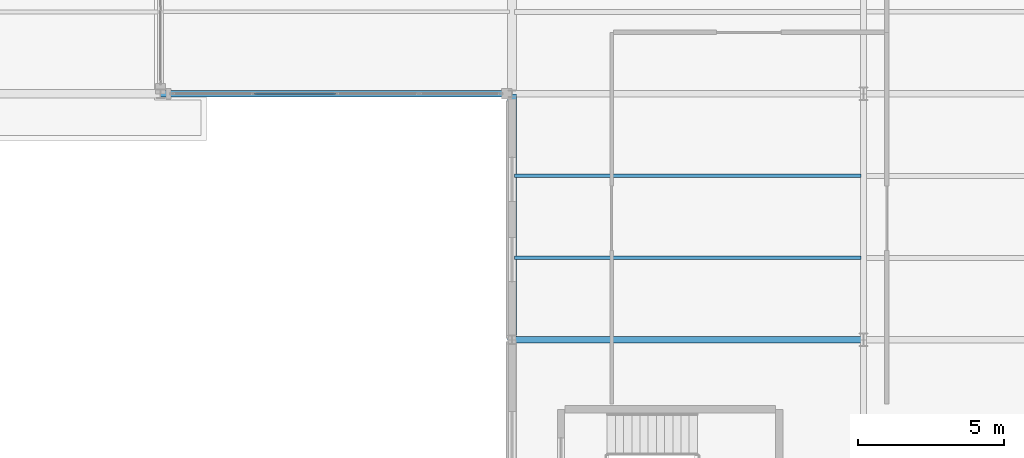
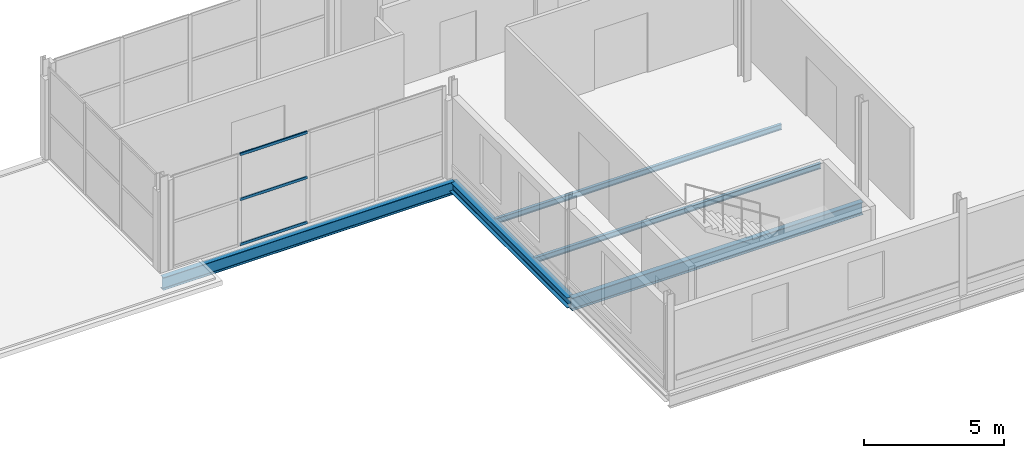
# One storey, part 64 of 93: 5 beams, 3 members, 1 element without a shape of its own.
"""IFC4 building model written with IfcOpenShell, lengths in metres."""

from ifc_helpers import new_model, si_unit, direction, frame, origin, origin_2d, place, context, subcontext, project, spatial, hollow_rectangle, i_section, extrude, material, layer, layer_set, material_profile, profile_set, type_object, element, aggregate, save


model = new_model("IFC4")

# Units and contexts
model_context = context("Model", 3, precision=1e-05, world=origin(), true_north=direction((0.0, 1.0)))
body_context = subcontext(model_context, "Body", "Model", "MODEL_VIEW")
ifc_project = project(units=[si_unit("LENGTHUNIT", "METRE"), si_unit("AREAUNIT", "SQUARE_METRE"), si_unit("VOLUMEUNIT", "CUBIC_METRE"), si_unit("PLANEANGLEUNIT", "RADIAN"), si_unit("MASSUNIT", "GRAM", prefix="KILO")], contexts=[model_context])

# Site, building, storey
site_placement = place(None, origin())
site = spatial("IfcSite", under=ifc_project, at=site_placement, CompositionType="ELEMENT")
building_placement = place(site_placement, origin())
building = spatial("IfcBuilding", under=site, at=building_placement, Name="Vekula Escarpment Museum", CompositionType="ELEMENT")
storey_placement = place(building_placement, frame((0.0, 0.0, 22.199951171875)))
storey = spatial("IfcBuildingStorey", under=building, at=storey_placement, Name="L05", CompositionType="ELEMENT", Elevation=22.199951171875)

# Beams
ifc_material_1 = material(Name="Steel S355", Category="steel")
ifc_material_profile_1 = material_profile(ifc_material_1, i_section(OverallWidth=0.2099609375, OverallDepth=0.550048828125, WebThickness=0.010986328125, FlangeThickness=0.01708984375, FilletRadius=0.02392578125, at=origin_2d()), Name="IPE 550")
ifc_profile_set_1 = profile_set([ifc_material_profile_1], Name="Steel S355")
beam_type_1 = type_object("IfcBeamType", Name="BM-GIRD-IPE550", PredefinedType="BEAM", material=ifc_profile_set_1)
for number, where, z_axis, x_axis, name in (
    (1, (167.0, 59.60009765625, -0.52490234375), (1.0, 0.0, 0.0), (0.0, 1.0, 0.0), "Beam X L05 1989"),
    (2, (155.0, 68.0, -0.52490234375), (1.0, 0.0, 0.0), (0.0, 1.0, 0.0), "Beam X L05 2005"),
):
    element("IfcBeam", number, at=place(storey_placement, frame(where, z_axis=z_axis, x_axis=x_axis)), inside=storey, type_object=beam_type_1, Name=name, PredefinedType="BEAM", context=body_context, shape_type="SweptSolid", body=[
        extrude(i_section(OverallWidth=0.2099609375, OverallDepth=0.550048828125, WebThickness=0.010986328125, FlangeThickness=0.01708984375, FilletRadius=0.02392578125, at=origin_2d()), origin(), (0.0, 0.0, 1.0), 12.0),
    ])
ifc_material_2 = material(Name="Steel S355", Category="steel")
ifc_material_profile_2 = material_profile(ifc_material_2, i_section(OverallWidth=0.1201171875, OverallDepth=0.239990234375, WebThickness=0.006103515625, FlangeThickness=0.009765625, FilletRadius=0.014892578125, at=origin_2d()), Name="IPE 240")
ifc_profile_set_2 = profile_set([ifc_material_profile_2], Name="Steel S355")
beam_type_2 = type_object("IfcBeamType", Name="BM-JST-IPE240", PredefinedType="JOIST", material=ifc_profile_set_2)
for number, where, z_axis, x_axis, name in (
    (3, (167.090087890625, 62.39990234375, -0.369873046875), (1.0, 0.0, 0.0), (0.0, 1.0, 0.0), "Secondary Joist L05 1387"),
    (4, (167.090087890625, 65.199951171875, -0.369873046875), (1.0, 0.0, 0.0), (0.0, 1.0, 0.0), "Secondary Joist L05 1388"),
):
    element("IfcBeam", number, at=place(storey_placement, frame(where, z_axis=z_axis, x_axis=x_axis)), inside=storey, type_object=beam_type_2, Name=name, PredefinedType="JOIST", context=body_context, shape_type="SweptSolid", body=[
        extrude(i_section(OverallWidth=0.1201171875, OverallDepth=0.239990234375, WebThickness=0.006103515625, FlangeThickness=0.009765625, FilletRadius=0.014892578125, at=origin_2d()), origin(), (0.0, 0.0, 1.0), 11.81982421875),
    ])
ifc_material_3 = material(Name="Steel S355", Category="steel")
ifc_material_profile_3 = material_profile(ifc_material_3, i_section(OverallWidth=0.300048828125, OverallDepth=0.43994140625, WebThickness=0.011474609375, FlangeThickness=0.02099609375, FilletRadius=0.027099609375, at=origin_2d()), Name="HEA 450")
ifc_profile_set_3 = profile_set([ifc_material_profile_3], Name="Steel S355")
beam_type_3 = type_object("IfcBeamType", Name="BM-SPAN-HEA450", PredefinedType="SPANDREL", material=ifc_profile_set_3)
beam_placement = place(storey_placement, frame((167.0, 59.60009765625, -0.469970703125), z_axis=(0.0, 1.0, 0.0), x_axis=(-1.0, 0.0, 0.0)))
element("IfcBeam", 5, at=beam_placement, inside=storey, type_object=beam_type_3, Name="Beam Y L05 2158", PredefinedType="SPANDREL", context=body_context, shape_type="SweptSolid", body=[
    extrude(i_section(OverallWidth=0.300048828125, OverallDepth=0.43994140625, WebThickness=0.011474609375, FlangeThickness=0.02099609375, FilletRadius=0.027099609375, at=origin_2d()), origin(), (0.0, 0.0, 1.0), 8.39990234375),
])

# Curtain wall, members
ifc_material_4 = material(Name="Aluminium thermally broken framing", Category="aluminium")
ifc_layer = layer(ifc_material_4, 0.159912109375)
ifc_layer_set = layer_set([ifc_layer], Name="Aluminium thermally broken framing")
curtain_wall_type = type_object("IfcCurtainWallType", Name="CW-SYS-05", PredefinedType="NOTDEFINED", material=ifc_layer_set)
curtain_wall_placement = place(storey_placement, origin())
curtain_wall = element("IfcCurtainWall", 6, at=curtain_wall_placement, inside=storey, type_object=curtain_wall_type, Name="Curtain Wall CW-L05-185", PredefinedType="NOTDEFINED")
ifc_material_5 = material(Name="Aluminium anodized transom", Category="aluminium")
ifc_material_profile_4 = material_profile(ifc_material_5, hollow_rectangle(XDim=0.06005859375, YDim=0.1201171875, WallThickness=0.00390625, InnerFilletRadius=0.00390625, OuterFilletRadius=0.008056640625, at=origin_2d()), Name="ALU 120x60x4")
ifc_profile_set_4 = profile_set([ifc_material_profile_4], Name="Aluminium anodized transom")
member_type = type_object("IfcMemberType", Name="CW-TRN-120", PredefinedType="USERDEFINED", material=ifc_profile_set_4)
member_1_placement = place(storey_placement, frame((158.2099609375, 68.0, 0.030029296875), z_axis=(1.0, 0.0, 0.0), x_axis=(0.0, 1.0, 0.0)))
member_1 = element("IfcMember", 7, at=member_1_placement, type_object=member_type, Name="CW-05 transom 2.1", ObjectType="TRANSOM", PredefinedType="USERDEFINED", context=body_context, shape_type="SweptSolid", body=[
    extrude(hollow_rectangle(XDim=0.06005859375, YDim=0.1201171875, WallThickness=0.00390625, InnerFilletRadius=0.00390625, OuterFilletRadius=0.008056640625, at=origin_2d()), origin(), (0.0, 0.0, 1.0), 2.760009765625),
])
member_2_placement = place(storey_placement, frame((158.2099609375, 68.0, 1.989990234375), z_axis=(1.0, 0.0, 0.0), x_axis=(0.0, 1.0, 0.0)))
member_2 = element("IfcMember", 8, at=member_2_placement, type_object=member_type, Name="CW-05 transom 2.2", ObjectType="TRANSOM", PredefinedType="USERDEFINED", context=body_context, shape_type="SweptSolid", body=[
    extrude(hollow_rectangle(XDim=0.06005859375, YDim=0.1201171875, WallThickness=0.00390625, InnerFilletRadius=0.00390625, OuterFilletRadius=0.008056640625, at=origin_2d()), origin(), (0.0, 0.0, 1.0), 2.760009765625),
])
member_3_placement = place(storey_placement, frame((158.2099609375, 68.0, 3.949951171875), z_axis=(1.0, 0.0, 0.0), x_axis=(0.0, 1.0, 0.0)))
member_3 = element("IfcMember", 9, at=member_3_placement, type_object=member_type, Name="CW-05 transom 2.3", ObjectType="TRANSOM", PredefinedType="USERDEFINED", context=body_context, shape_type="SweptSolid", body=[
    extrude(hollow_rectangle(XDim=0.06005859375, YDim=0.1201171875, WallThickness=0.00390625, InnerFilletRadius=0.00390625, OuterFilletRadius=0.008056640625, at=origin_2d()), origin(), (0.0, 0.0, 1.0), 2.760009765625),
])
aggregate(curtain_wall, [member_1, member_2, member_3])

save(model, "model.ifc")
